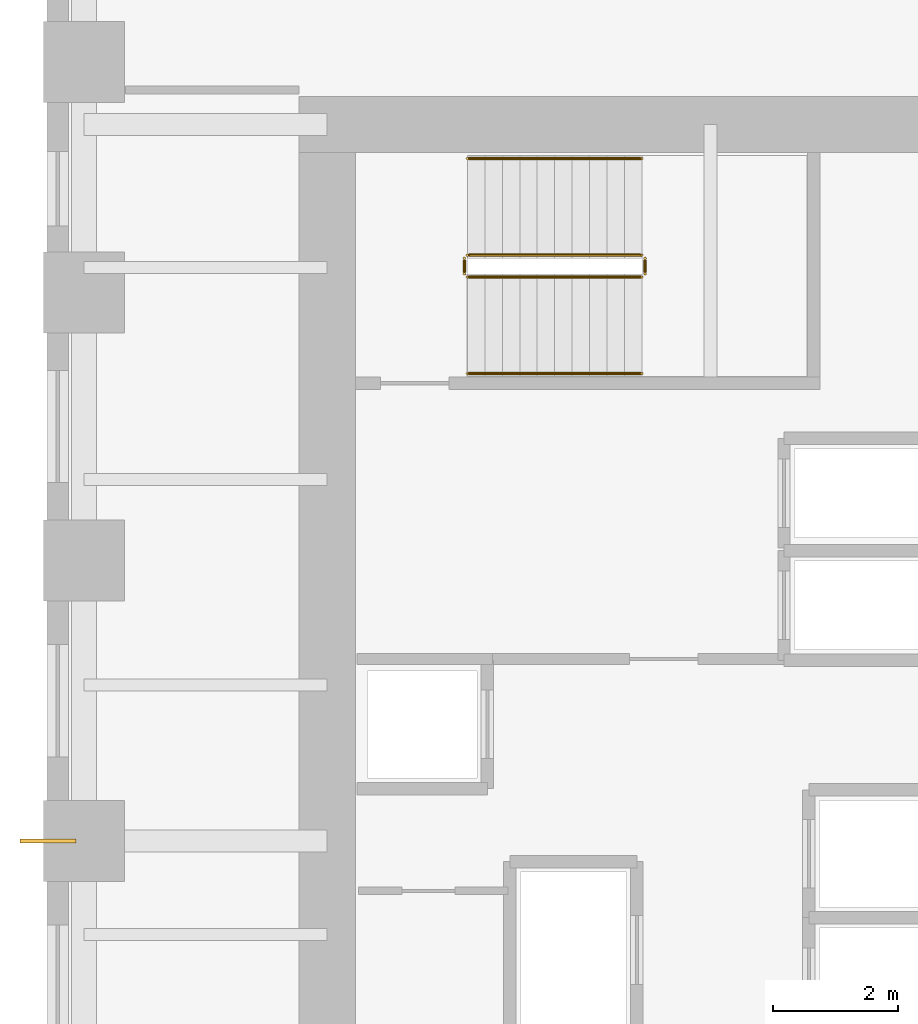
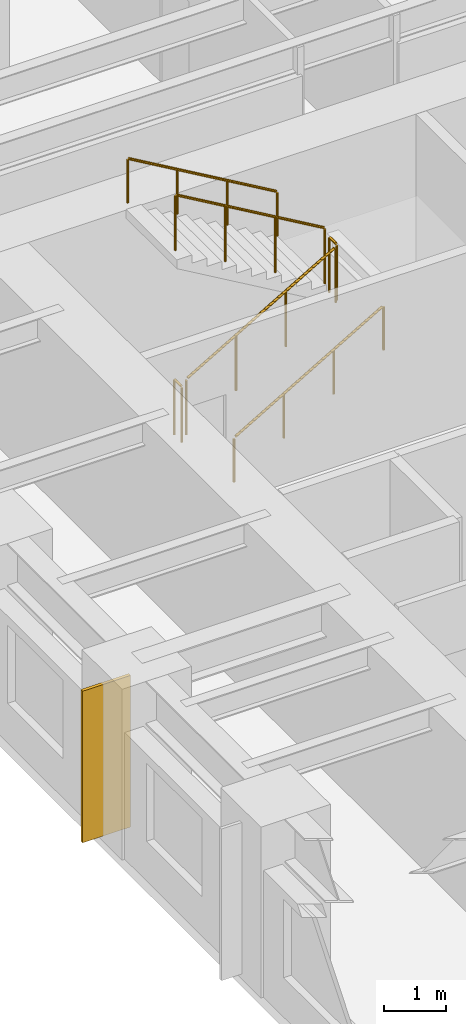
# One storey, part 11 of 12: 6 railings, 1 covering.
"""IFC4 building model written with IfcOpenShell, lengths in metres."""

from ifc_helpers import new_model, si_unit, direction, frame, origin, origin_2d, place, context, subcontext, project, spatial, rectangle, circle, extrude, source, transform, mapped, material, layer, layer_set, type_object, element, save


model = new_model("IFC4")

# Units and contexts
model_context = context("Model", 3, precision=1e-05, world=origin(), true_north=direction((0.0, 1.0)))
body_context = subcontext(model_context, "Body", "Model", "MODEL_VIEW")
ifc_project = project(units=[si_unit("LENGTHUNIT", "METRE"), si_unit("AREAUNIT", "SQUARE_METRE"), si_unit("VOLUMEUNIT", "CUBIC_METRE"), si_unit("PLANEANGLEUNIT", "RADIAN"), si_unit("MASSUNIT", "GRAM", prefix="KILO")], contexts=[model_context])

# Site, building, storey
site_placement = place(None, origin())
site = spatial("IfcSite", under=ifc_project, at=site_placement, CompositionType="ELEMENT")
building_placement = place(site_placement, origin())
building = spatial("IfcBuilding", under=site, at=building_placement, Name="Kharzan Plaza Tower", CompositionType="ELEMENT")
storey_placement = place(building_placement, frame((0.0, 0.0, 62.10009765625)))
storey = spatial("IfcBuildingStorey", under=building, at=storey_placement, Name="L16", CompositionType="ELEMENT", Elevation=62.10009765625)

# Railings
ifc_material_1 = material(Name="Painted Galvanized Architectural Steel", Category="steel")
ifc_layer_1 = layer(ifc_material_1, 0.074951171875)
ifc_layer_set_1 = layer_set([ifc_layer_1], Name="Painted Galvanized Architectural Steel")
railing_type_1 = type_object("IfcRailingType", Name="RL-GUARD-1120", PredefinedType="BALUSTRADE", material=ifc_layer_set_1)
shared_shape_1 = source(origin(), body_context, "Body", "SweptSolid", [
    extrude(circle(Radius=0.02392578125, at=origin_2d()), frame((0.0, 0.0263671875, 1.09619140625), z_axis=(0.0, 1.0, 0.0), x_axis=(-1.0, 0.0, 0.0)), (0.0, 0.0, 1.0), 0.197021484375),
    extrude(circle(Radius=0.02099609375, at=origin_2d()), origin(), (0.0, 0.0, 1.0), 1.072021484375),
    extrude(circle(Radius=0.02099609375, at=origin_2d()), frame((0.0, 0.25, 0.0)), (0.0, 0.0, 1.0), 1.072021484375),
])
for number, where, name in (
    (1, (9.60009765625, 27.10009765625, 1.7998046875), "L16 ST-2 stair guard 2"),
    (2, (6.699951171875, 27.10009765625, 0.0), "L16 ST-2 stair guard 4"),
):
    element("IfcRailing", number, at=place(storey_placement, frame(where)), inside=storey, type_object=railing_type_1, Name=name, PredefinedType="BALUSTRADE", context=body_context, shape_type="MappedRepresentation", body=[
        mapped(shared_shape_1, transform((0.0, 0.0, 0.0), x_axis=(1.0, 0.0, 0.0), y_axis=(0.0, 1.0, 0.0), z_axis=(0.0, 0.0, 1.0))),
    ])

# Covering
ifc_material_2 = material(Name="Honed Riyadh Limestone", Category="masonry")
ifc_layer_2 = layer(ifc_material_2, 0.06005859375)
ifc_layer_set_2 = layer_set([ifc_layer_2], Name="Honed Riyadh Limestone")
covering_type = type_object("IfcCoveringType", Name="COV-CLAD-STONE", PredefinedType="CLADDING", material=ifc_layer_set_2)
shared_shape_2 = source(origin(), body_context, "Body", "SweptSolid", [
    extrude(rectangle(XDim=0.06005859375, YDim=0.89990234375, at=origin_2d()), origin(), (0.0, 0.0, 1.0), 3.0),
])
covering_placement = place(storey_placement, frame((0.02001953125, 18.0, 0.099853515625), z_axis=(0.0, 0.0, 1.0), x_axis=(0.0, 1.0, 0.0)))
element("IfcCovering", 3, at=covering_placement, inside=storey, type_object=covering_type, Name="L16 Limestone Pier Rainscreen Cladding TCW-180", PredefinedType="CLADDING", context=body_context, shape_type="MappedRepresentation", body=[
    mapped(shared_shape_2, transform((0.0, 0.0, 0.0), x_axis=(1.0, 0.0, 0.0), y_axis=(0.0, 1.0, 0.0), z_axis=(0.0, 0.0, 1.0))),
])

# Railings
shared_shape_3 = source(origin(), body_context, "Body", "SweptSolid", [
    extrude(circle(Radius=0.02392578125, at=origin_2d()), frame((0.02294921875, 0.0, 1.109375), z_axis=(0.863393664356, 0.0, 0.504530851732), x_axis=(0.0, 1.0, 0.0)), (0.0, 0.0, 1.0), 3.190185546875),
    extrude(circle(Radius=0.02099609375, at=origin_2d()), origin(), (0.0, 0.0, 1.0), 1.072021484375),
    extrude(circle(Radius=0.02099609375, at=origin_2d()), frame((0.933349609375, 0.0, 0.54541015625)), (0.0, 0.0, 1.0), 1.072021484375),
    extrude(circle(Radius=0.02099609375, at=origin_2d()), frame((1.86669921875, 0.0, 1.0908203125)), (0.0, 0.0, 1.0), 1.072021484375),
    extrude(circle(Radius=0.02099609375, at=origin_2d()), frame((2.800048828125, 0.0, 1.63623046875)), (0.0, 0.0, 1.0), 1.072021484375),
])
railing_1_placement = place(storey_placement, frame((6.75, 27.050048828125, 0.16357421875)))
element("IfcRailing", 4, at=railing_1_placement, inside=storey, type_object=railing_type_1, Name="L16 ST-2 stair guard 1", PredefinedType="BALUSTRADE", context=body_context, shape_type="MappedRepresentation", body=[
    mapped(shared_shape_3, transform((0.0, 0.0, 0.0), x_axis=(1.0, 0.0, 0.0), y_axis=(0.0, 1.0, 0.0), z_axis=(0.0, 0.0, 1.0))),
])
shared_shape_4 = source(origin(), body_context, "Body", "SweptSolid", [
    extrude(circle(Radius=0.02392578125, at=origin_2d()), frame((-0.02294921875, 0.0, 1.109375), z_axis=(-0.863393664356, 0.0, 0.504530851732), x_axis=(0.0, -1.0, 0.0)), (0.0, 0.0, 1.0), 3.190185546875),
    extrude(circle(Radius=0.02099609375, at=origin_2d()), origin(), (0.0, 0.0, 1.0), 1.072021484375),
    extrude(circle(Radius=0.02099609375, at=origin_2d()), frame((-0.933349609375, 0.0, 0.54541015625)), (0.0, 0.0, 1.0), 1.072021484375),
    extrude(circle(Radius=0.02099609375, at=origin_2d()), frame((-1.86669921875, 0.0, 1.0908203125)), (0.0, 0.0, 1.0), 1.072021484375),
    extrude(circle(Radius=0.02099609375, at=origin_2d()), frame((-2.800048828125, 0.0, 1.63623046875)), (0.0, 0.0, 1.0), 1.072021484375),
])
railing_2_placement = place(storey_placement, frame((9.550048828125, 27.39990234375, 1.963623046875)))
element("IfcRailing", 5, at=railing_2_placement, inside=storey, type_object=railing_type_1, Name="L16 ST-2 stair guard 3", PredefinedType="BALUSTRADE", context=body_context, shape_type="MappedRepresentation", body=[
    mapped(shared_shape_4, transform((0.0, 0.0, 0.0), x_axis=(1.0, 0.0, 0.0), y_axis=(0.0, 1.0, 0.0), z_axis=(0.0, 0.0, 1.0))),
])
ifc_material_3 = material(Name="Brushed Stainless Steel", Category="steel")
ifc_layer_3 = layer(ifc_material_3, 0.050048828125)
ifc_layer_set_3 = layer_set([ifc_layer_3], Name="Brushed Stainless Steel")
railing_type_2 = type_object("IfcRailingType", Name="RL-STAIR-HR920", PredefinedType="HANDRAIL", material=ifc_layer_set_3)
shared_shape_5 = source(origin(), body_context, "Body", "SweptSolid", [
    extrude(circle(Radius=0.02392578125, at=origin_2d()), frame((0.02294921875, 0.0, 0.88916015625), z_axis=(0.863393664356, 0.0, 0.504530851732), x_axis=(0.0, 1.0, 0.0)), (0.0, 0.0, 1.0), 3.190185546875),
    extrude(circle(Radius=0.02099609375, at=origin_2d()), origin(), (0.0, 0.0, 1.0), 0.851806640625),
    extrude(circle(Radius=0.02099609375, at=origin_2d()), frame((0.933349609375, 0.0, 0.54541015625)), (0.0, 0.0, 1.0), 0.851806640625),
    extrude(circle(Radius=0.02099609375, at=origin_2d()), frame((1.86669921875, 0.0, 1.0908203125)), (0.0, 0.0, 1.0), 0.851806640625),
    extrude(circle(Radius=0.02099609375, at=origin_2d()), frame((2.800048828125, 0.0, 1.63623046875)), (0.0, 0.0, 1.0), 0.851806640625),
])
railing_3_placement = place(storey_placement, frame((6.75, 25.5, 0.16357421875)))
element("IfcRailing", 6, at=railing_3_placement, inside=storey, type_object=railing_type_2, Name="L16 ST-2 stair handrail 1", PredefinedType="HANDRAIL", context=body_context, shape_type="MappedRepresentation", body=[
    mapped(shared_shape_5, transform((0.0, 0.0, 0.0), x_axis=(1.0, 0.0, 0.0), y_axis=(0.0, 1.0, 0.0), z_axis=(0.0, 0.0, 1.0))),
])
shared_shape_6 = source(origin(), body_context, "Body", "SweptSolid", [
    extrude(circle(Radius=0.02392578125, at=origin_2d()), frame((-0.02294921875, 0.0, 0.88916015625), z_axis=(-0.863393664356, 0.0, 0.504530851732), x_axis=(0.0, -1.0, 0.0)), (0.0, 0.0, 1.0), 3.190185546875),
    extrude(circle(Radius=0.02099609375, at=origin_2d()), origin(), (0.0, 0.0, 1.0), 0.851806640625),
    extrude(circle(Radius=0.02099609375, at=origin_2d()), frame((-0.933349609375, 0.0, 0.54541015625)), (0.0, 0.0, 1.0), 0.851806640625),
    extrude(circle(Radius=0.02099609375, at=origin_2d()), frame((-1.86669921875, 0.0, 1.0908203125)), (0.0, 0.0, 1.0), 0.851806640625),
    extrude(circle(Radius=0.02099609375, at=origin_2d()), frame((-2.800048828125, 0.0, 1.63623046875)), (0.0, 0.0, 1.0), 0.851806640625),
])
railing_4_placement = place(storey_placement, frame((9.550048828125, 28.949951171875, 1.963623046875)))
element("IfcRailing", 7, at=railing_4_placement, inside=storey, type_object=railing_type_2, Name="L16 ST-2 stair handrail 2", PredefinedType="HANDRAIL", context=body_context, shape_type="MappedRepresentation", body=[
    mapped(shared_shape_6, transform((0.0, 0.0, 0.0), x_axis=(1.0, 0.0, 0.0), y_axis=(0.0, 1.0, 0.0), z_axis=(0.0, 0.0, 1.0))),
])

save(model, "model.ifc")
